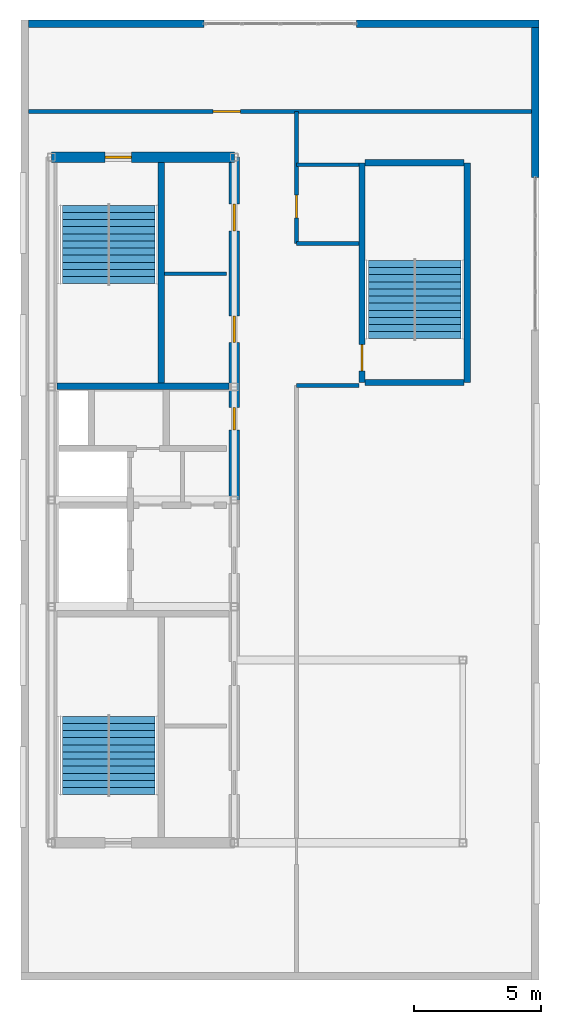
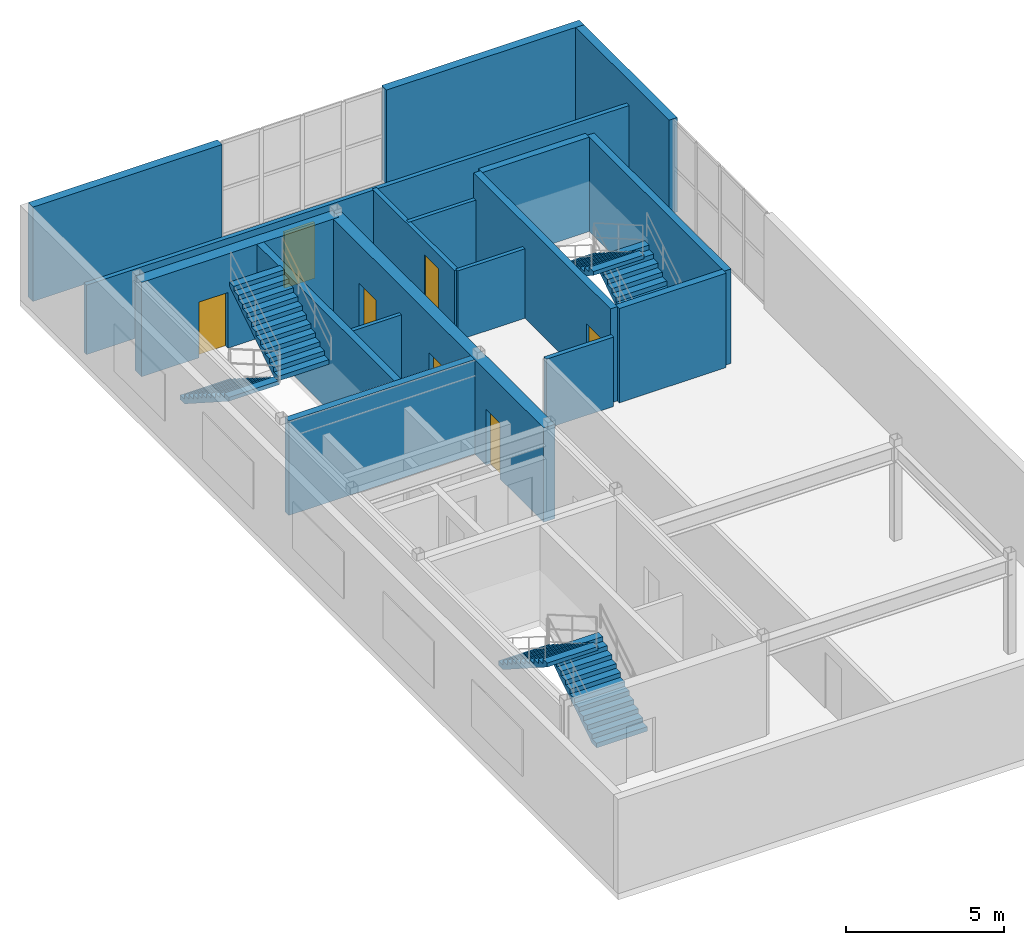
# One storey, part 5 of 6: 17 walls, 7 doors, 6 stair flights, 7 openings, 3 elements without a shape of their own.
"""IFC4 building model written with IfcOpenShell, lengths in metres."""

import ifcopenshell
import ifcopenshell.guid

model = None  # the IFC model being written
_history = None  # IfcOwnerHistory: only IFC2X3 demands one
_inside = {}  # id of a spatial element -> (the spatial element, [elements in it])
_under = {}  # id of a project, library or spatial element -> (it, [spatial elements below it])
_declared = {}  # id of a project -> (the project, [libraries it declares])
_typed = {}  # id of a type object -> (the type object, [elements of that type])
_made_of = {}  # id of a material, layer set ... -> (it, [elements and type objects made of it])


def new_model(schema):
    """Start an empty IFC model of exactly this schema.

    Asked for "IFC4X3", IfcOpenShell would pick the latest addendum, in which some entities
    have other attributes; the version numbers below select the first issue.
    IFC2X3 requires an IfcOwnerHistory on every rooted entity: one is made here for all.
    """
    global model, _history
    if schema == "IFC4X3":
        model = ifcopenshell.file(schema_version=(4, 3, 0, 0))
    else:
        model = ifcopenshell.file(schema=schema)
    _inside.clear()
    _under.clear()
    _declared.clear()
    _typed.clear()
    _made_of.clear()
    _history = None
    if model.schema == "IFC2X3":
        org = make("IfcOrganization", Name="unknown")
        user = make(
            "IfcPersonAndOrganization",
            ThePerson=make("IfcPerson", FamilyName="unknown"),
            TheOrganization=org,
        )
        app = make(
            "IfcApplication",
            ApplicationDeveloper=org,
            Version="unknown",
            ApplicationFullName="unknown",
            ApplicationIdentifier="unknown",
        )
        _history = make(
            "IfcOwnerHistory",
            OwningUser=user,
            OwningApplication=app,
            ChangeAction="ADDED",
            CreationDate=0,
        )
    return model


def make(cls, **values):
    """One entity of the class cls with the attributes given. An attribute that is None is left unset."""
    return model.create_entity(
        cls, **{name: value for name, value in values.items() if value is not None}
    )


def entity(cls, *values):
    """Any entity or typed value of the class cls, its attributes in the order of the schema. None: left unset."""
    e = model.create_entity(cls)
    for i, value in enumerate(values):
        if value is not None:
            e[i] = value
    return e


def rooted(cls, **values):
    """An entity with a GlobalId (a new one), such as an element, a storey or a relation."""
    return make(cls, GlobalId=ifcopenshell.guid.new(), OwnerHistory=_history, **values)


def si_unit(unit_type, name, prefix=None):
    """IfcSIUnit, for example si_unit("LENGTHUNIT", "METRE", prefix="MILLI")."""
    return make("IfcSIUnit", UnitType=unit_type, Prefix=prefix, Name=name)


def converted_unit(unit_type, name, factor, base, dimensions=None, offset=None):
    """IfcConversionBasedUnit, such as the inch: factor (a typed value) times the base unit."""
    return make(
        "IfcConversionBasedUnit"
        if offset is None
        else "IfcConversionBasedUnitWithOffset",
        ConversionOffset=offset,
        Dimensions=None
        if dimensions is None
        else entity("IfcDimensionalExponents", *dimensions),
        UnitType=unit_type,
        Name=name,
        ConversionFactor=make(
            "IfcMeasureWithUnit", ValueComponent=factor, UnitComponent=base
        ),
    )


def assignment(units):
    """IfcUnitAssignment: the units of a project."""
    return None if units is None else make("IfcUnitAssignment", Units=units)


def point(xyz):
    """IfcCartesianPoint."""
    return None if xyz is None else make("IfcCartesianPoint", Coordinates=xyz)


def direction(xyz):
    """IfcDirection."""
    return None if xyz is None else make("IfcDirection", DirectionRatios=xyz)


def frame(location, z_axis=None, x_axis=None):
    """IfcAxis2Placement3D, a coordinate frame: its origin and axes. An axis left out is left unset."""
    return make(
        "IfcAxis2Placement3D",
        Location=point(location),
        Axis=direction(z_axis),
        RefDirection=direction(x_axis),
    )


def frame_2d(location, x_axis=None):
    """IfcAxis2Placement2D, a coordinate frame in the plane: its origin and x axis."""
    return make(
        "IfcAxis2Placement2D", Location=point(location), RefDirection=direction(x_axis)
    )


def origin_with_axes():
    """The frame at (0, 0, 0) with the z axis (0, 0, 1) and the x axis (1, 0, 0) written out."""
    return frame((0.0, 0.0, 0.0), z_axis=(0.0, 0.0, 1.0), x_axis=(1.0, 0.0, 0.0))


def origin_2d_with_axis():
    """The frame at (0, 0) in the plane with the x axis (1, 0) written out."""
    return frame_2d((0.0, 0.0), x_axis=(1.0, 0.0))


def place(relative_to, where):
    """IfcLocalPlacement: puts the frame where relative to a parent placement (None: the world)."""
    return make(
        "IfcLocalPlacement", PlacementRelTo=relative_to, RelativePlacement=where
    )


def context(
    kind, dimensions, precision=None, world=None, true_north=None, identifier=None
):
    """IfcGeometricRepresentationContext, for example the 3D "Model" context."""
    return make(
        "IfcGeometricRepresentationContext",
        ContextIdentifier=identifier,
        ContextType=kind,
        CoordinateSpaceDimension=dimensions,
        Precision=precision,
        WorldCoordinateSystem=world,
        TrueNorth=true_north,
    )


def subcontext(parent, identifier, kind, view, scale=None):
    """IfcGeometricRepresentationSubContext, for example "Body" below "Model"."""
    return make(
        "IfcGeometricRepresentationSubContext",
        ContextIdentifier=identifier,
        ContextType=kind,
        ParentContext=parent,
        TargetScale=scale,
        TargetView=view,
    )


def project(units=None, contexts=None):
    """IfcProject with its units and contexts."""
    return rooted(
        "IfcProject",
        Name="project",
        RepresentationContexts=contexts,
        UnitsInContext=assignment(units),
    )


def spatial(cls, under=None, at=None, **own):
    """A site, building, storey or space (cls), placed at a placement, below another one or the project."""
    s = rooted(cls, ObjectPlacement=at, **own)
    if under is not None:
        _under.setdefault(under.id(), (under, []))[1].append(s)
    return s


def polyline(points):
    """IfcPolyline through the points."""
    return make("IfcPolyline", Points=[point(p) for p in points])


def profile(cls, at=None, kind="AREA", **sizes):
    """A parametric profile (cls). Its sizes go by their IFC names, for example OverallWidth=200.0."""
    return make(cls, ProfileType=kind, Position=at, **sizes)


def rectangle(**sizes):
    """IfcRectangleProfileDef."""
    return profile("IfcRectangleProfileDef", **sizes)


def outline(outer, holes=None, kind="AREA"):
    """IfcArbitraryClosedProfileDef: a profile drawn as a closed curve; with holes, ...WithVoids."""
    if holes is None:
        return make("IfcArbitraryClosedProfileDef", ProfileType=kind, OuterCurve=outer)
    return make(
        "IfcArbitraryProfileDefWithVoids",
        ProfileType=kind,
        OuterCurve=outer,
        InnerCurves=holes,
    )


def extrude(swept, where, along, depth):
    """IfcExtrudedAreaSolid: the profile swept, set in the frame where, extruded along a direction by depth."""
    return make(
        "IfcExtrudedAreaSolid",
        SweptArea=swept,
        Position=where,
        ExtrudedDirection=direction(along),
        Depth=depth,
    )


def shape(context_of_items, identifier, shape_type, items):
    """IfcShapeRepresentation: the items that make up one representation, for example the "Body"."""
    return make(
        "IfcShapeRepresentation",
        ContextOfItems=context_of_items,
        RepresentationIdentifier=identifier,
        RepresentationType=shape_type,
        Items=items,
    )


def material(Name=None, Category=None):
    """IfcMaterial."""
    return make("IfcMaterial", Name=Name, Category=Category)


def layer(
    of_material, thickness, ventilated=None, Name=None, Category=None, Priority=None
):
    """IfcMaterialLayer: one layer of a wall or slab, of a material (None: an air gap)."""
    return make(
        "IfcMaterialLayer",
        Material=of_material,
        LayerThickness=thickness,
        IsVentilated=ventilated,
        Name=Name,
        Category=Category,
        Priority=Priority,
    )


def layer_set(layers, Name=None):
    """IfcMaterialLayerSet."""
    return make("IfcMaterialLayerSet", MaterialLayers=layers, LayerSetName=Name)


def made_of(thing, what):
    """Note that an element or type object is made of a material, layer set ...; save() writes the relation."""
    if what is not None:
        _made_of.setdefault(what.id(), (what, []))[1].append(thing)
    return thing


def type_object(cls, material=None, **own):
    """A type object (cls), such as IfcWallType, which elements share."""
    return made_of(rooted(cls, **own), material)


def element(
    cls,
    number,
    at=None,
    inside=None,
    cuts=None,
    type_object=None,
    material=None,
    context=None,
    identifier="Body",
    shape_type=None,
    held_by="IfcProductDefinitionShape",
    body=None,
    shapes=None,
    **own,
):
    """One element of the class cls, such as IfcWall. Its Tag is "e" and its number.

    at: its placement. inside: the storey or other place that contains it. cuts: it is an
    opening in that element (IfcRelVoidsElement). A single representation is given by context,
    identifier, shape_type and body (its items); several are given by shapes. held_by: the class
    of the entity that holds the representations. save() writes the other relations.
    """
    e = rooted(cls, Tag="e%d" % number, ObjectPlacement=at, **own)
    if body is not None:
        shapes = [shape(context, identifier, shape_type, body)]
    if shapes is not None:
        e.Representation = make(held_by, Representations=shapes)
    if inside is not None:
        _inside.setdefault(inside.id(), (inside, []))[1].append(e)
    if cuts is not None:
        rooted(
            "IfcRelVoidsElement", RelatingBuildingElement=cuts, RelatedOpeningElement=e
        )
    if type_object is not None:
        _typed.setdefault(type_object.id(), (type_object, []))[1].append(e)
    return made_of(e, material)


def fill(opening, filler):
    """IfcRelFillsElement: the door or window that sits in an opening."""
    return rooted(
        "IfcRelFillsElement",
        RelatingOpeningElement=opening,
        RelatedBuildingElement=filler,
    )


def aggregate(whole, parts):
    """IfcRelAggregates: a whole, such as a stair, and the parts it consists of."""
    return rooted("IfcRelAggregates", RelatingObject=whole, RelatedObjects=parts)


def save(model, path):
    """Write the relations noted so far, then the file.

    IfcRelAggregates (storeys below a building ...), IfcRelContainedInSpatialStructure (elements
    in a storey), IfcRelDefinesByType, IfcRelAssociatesMaterial and IfcRelDeclares: one each for
    every whole, place, type object, material and project.
    """
    for whole, parts in _under.values():
        aggregate(whole, parts)
    for where, things in _inside.values():
        rooted(
            "IfcRelContainedInSpatialStructure",
            RelatedElements=things,
            RelatingStructure=where,
        )
    for kind, things in _typed.values():
        rooted("IfcRelDefinesByType", RelatedObjects=things, RelatingType=kind)
    for what, things in _made_of.values():
        rooted("IfcRelAssociatesMaterial", RelatedObjects=things, RelatingMaterial=what)
    for by, libraries in _declared.values():
        rooted("IfcRelDeclares", RelatingContext=by, RelatedDefinitions=libraries)
    model.write(path)


model = new_model("IFC4")

# Units and contexts
model_context = context("Model", 3, precision=1e-05, world=origin_with_axes(), true_north=direction((0.0, 1.0)))
body_context = subcontext(model_context, "Body", "Model", "MODEL_VIEW")
ifc_project = project(units=[si_unit("LENGTHUNIT", "METRE"), si_unit("AREAUNIT", "SQUARE_METRE"), si_unit("VOLUMEUNIT", "CUBIC_METRE"), converted_unit("PLANEANGLEUNIT", "DEGREE", entity("IfcPlaneAngleMeasure", 0.017453292519943295), si_unit("PLANEANGLEUNIT", "RADIAN"), dimensions=[0, 0, 0, 0, 0, 0, 0]), si_unit("MASSUNIT", "GRAM", prefix="KILO"), si_unit("THERMODYNAMICTEMPERATUREUNIT", "KELVIN")], contexts=[model_context])

# Site, building, storey
site_placement = place(None, origin_with_axes())
site = spatial("IfcSite", under=ifc_project, at=site_placement, CompositionType="ELEMENT")
building_placement = place(site_placement, origin_with_axes())
building = spatial("IfcBuilding", under=site, at=building_placement, Name="Varnlund Millrace Tower", CompositionType="ELEMENT")
storey_placement = place(building_placement, frame((0.0, 0.0, 324.3), z_axis=(0.0, 0.0, 1.0), x_axis=(1.0, 0.0, 0.0)))
storey = spatial("IfcBuildingStorey", under=building, at=storey_placement, Name="L80", CompositionType="ELEMENT", Elevation=324.3)

# Wall, opening, door
ifc_material_1 = material(Name="Concrete C60/75", Category="concrete")
ifc_layer_1 = layer(ifc_material_1, 0.42, Name="Concrete C60/75")
ifc_layer_set_1 = layer_set([ifc_layer_1], Name="Concrete C60/75")
wall_type_1 = type_object("IfcWallType", Name="Type-CoreWall-Shear-420-C60", PredefinedType="SHEAR", material=ifc_layer_set_1)
wall_1_placement = place(storey_placement, frame((11.4, 37.8, 0.0), z_axis=(0.0, 0.0, 1.0), x_axis=(1.0, 0.0, 0.0)))
wall_1 = element("IfcWall", 1, at=wall_1_placement, inside=storey, type_object=wall_type_1, Name="Type-CoreWall-Shear-420-C60", PredefinedType="SHEAR", context=body_context, shape_type="SweptSolid", body=[
    extrude(outline(polyline([(0.0, -0.21), (7.2, -0.21), (7.2, 0.21), (0.0, 0.21), (0.0, -0.21)])), origin_with_axes(), (0.0, 0.0, 1.0), 3.64),
])
opening_1_placement = place(wall_1_placement, frame((2.625, 0.0, 0.0), z_axis=(0.0, 0.0, 1.0), x_axis=(1.0, 0.0, 0.0)))
opening_1 = element("IfcOpeningElement", 2, at=opening_1_placement, cuts=wall_1, Name="Opening L80:DR-STA2", PredefinedType="OPENING", context=body_context, shape_type="SweptSolid", body=[
    extrude(rectangle(XDim=1.05, YDim=0.44, at=origin_2d_with_axis()), origin_with_axes(), (0.0, 0.0, 1.0), 2.15),
])
ifc_material_2 = material(Name="Fire-rated hollow steel door", Category="steel")
door_type_1 = type_object("IfcDoorType", Name="Type-FireDoor-Stair-1050X2150", OperationType="NOTDEFINED", PredefinedType="DOOR", material=ifc_material_2)
door_1_placement = place(wall_1_placement, frame((2.625, 0.0, 0.0), z_axis=(0.0, 0.0, 1.0), x_axis=(1.0, 0.0, 0.0)))
door_1 = element("IfcDoor", 3, at=door_1_placement, inside=storey, type_object=door_type_1, Name="Type-FireDoor-Stair-1050X2150", OperationType="SINGLE_SWING_RIGHT", OverallHeight=2.15, OverallWidth=1.05, PredefinedType="DOOR", context=body_context, shape_type="SweptSolid", body=[
    extrude(rectangle(XDim=1.05, YDim=0.09, at=origin_2d_with_axis()), origin_with_axes(), (0.0, 0.0, 1.0), 2.15),
])
fill(opening_1, door_1)

# Wall, openings, doors
wall_2_placement = place(storey_placement, frame((18.6, 24.3, 0.0), z_axis=(0.0, 0.0, 1.0), x_axis=(0.0, 1.0, 0.0)))
wall_2 = element("IfcWall", 4, at=wall_2_placement, inside=storey, type_object=wall_type_1, Name="Type-CoreWall-Shear-420-C60", PredefinedType="SHEAR", context=body_context, shape_type="SweptSolid", body=[
    extrude(outline(polyline([(0.0, -0.21), (13.5, -0.21), (13.5, 0.21), (0.0, 0.21), (0.0, -0.21)])), origin_with_axes(), (0.0, 0.0, 1.0), 3.64),
])
opening_2_placement = place(wall_2_placement, frame((3.2, 0.0, 0.0), z_axis=(0.0, 0.0, 1.0), x_axis=(1.0, 0.0, 0.0)))
opening_2 = element("IfcOpeningElement", 5, at=opening_2_placement, cuts=wall_2, Name="Opening L80:DR-ROB", PredefinedType="OPENING", context=body_context, shape_type="SweptSolid", body=[
    extrude(rectangle(XDim=0.9, YDim=0.44, at=origin_2d_with_axis()), origin_with_axes(), (0.0, 0.0, 1.0), 2.15),
])
opening_3_placement = place(wall_2_placement, frame((6.725, 0.0, 0.0), z_axis=(0.0, 0.0, 1.0), x_axis=(1.0, 0.0, 0.0)))
opening_3 = element("IfcOpeningElement", 6, at=opening_3_placement, cuts=wall_2, Name="Opening L80:DR-RECL-M1", PredefinedType="OPENING", context=body_context, shape_type="SweptSolid", body=[
    extrude(rectangle(XDim=1.05, YDim=0.44, at=origin_2d_with_axis()), origin_with_axes(), (0.0, 0.0, 1.0), 2.15),
])
opening_4_placement = place(wall_2_placement, frame((11.125, 0.0, 0.0), z_axis=(0.0, 0.0, 1.0), x_axis=(1.0, 0.0, 0.0)))
opening_4 = element("IfcOpeningElement", 7, at=opening_4_placement, cuts=wall_2, Name="Opening L80:DR-RECL-M2", PredefinedType="OPENING", context=body_context, shape_type="SweptSolid", body=[
    extrude(rectangle(XDim=1.05, YDim=0.44, at=origin_2d_with_axis()), origin_with_axes(), (0.0, 0.0, 1.0), 2.15),
])
ifc_material_3 = material(Name="Fire-rated hollow steel service closet door", Category="steel")
door_type_2 = type_object("IfcDoorType", Name="Type-FireDoor-Closet-900X2150", OperationType="NOTDEFINED", PredefinedType="DOOR", material=ifc_material_3)
door_2_placement = place(wall_2_placement, frame((3.2, 0.0, 0.0), z_axis=(0.0, 0.0, 1.0), x_axis=(1.0, 0.0, 0.0)))
door_2 = element("IfcDoor", 8, at=door_2_placement, inside=storey, type_object=door_type_2, Name="Type-FireDoor-Closet-900X2150", OperationType="SINGLE_SWING_RIGHT", OverallHeight=2.15, OverallWidth=0.9, PredefinedType="DOOR", context=body_context, shape_type="SweptSolid", body=[
    extrude(rectangle(XDim=0.9, YDim=0.09, at=origin_2d_with_axis()), origin_with_axes(), (0.0, 0.0, 1.0), 2.15),
])
fill(opening_2, door_2)
ifc_material_4 = material(Name="Smoke-barrier hollow steel fire door", Category="steel")
door_type_3 = type_object("IfcDoorType", Name="Type-FireDoor-Lobby-1050X2150", OperationType="NOTDEFINED", PredefinedType="DOOR", material=ifc_material_4)
door_3_placement = place(wall_2_placement, frame((6.725, 0.0, 0.0), z_axis=(0.0, 0.0, 1.0), x_axis=(1.0, 0.0, 0.0)))
door_3 = element("IfcDoor", 9, at=door_3_placement, inside=storey, type_object=door_type_3, Name="Type-FireDoor-Lobby-1050X2150", OperationType="SINGLE_SWING_LEFT", OverallHeight=2.15, OverallWidth=1.05, PredefinedType="DOOR", context=body_context, shape_type="SweptSolid", body=[
    extrude(rectangle(XDim=1.05, YDim=0.09, at=origin_2d_with_axis()), origin_with_axes(), (0.0, 0.0, 1.0), 2.15),
])
fill(opening_3, door_3)
door_4_placement = place(wall_2_placement, frame((11.125, 0.0, 0.0), z_axis=(0.0, 0.0, 1.0), x_axis=(1.0, 0.0, 0.0)))
door_4 = element("IfcDoor", 10, at=door_4_placement, inside=storey, type_object=door_type_3, Name="Type-FireDoor-Lobby-1050X2150", OperationType="SINGLE_SWING_RIGHT", OverallHeight=2.15, OverallWidth=1.05, PredefinedType="DOOR", context=body_context, shape_type="SweptSolid", body=[
    extrude(rectangle(XDim=1.05, YDim=0.09, at=origin_2d_with_axis()), origin_with_axes(), (0.0, 0.0, 1.0), 2.15),
])
fill(opening_4, door_4)

# Walls
ifc_material_5 = material(Name="Precast concrete C50/60", Category="concrete")
ifc_layer_2 = layer(ifc_material_5, 0.3, Name="Precast concrete C50/60")
ifc_layer_set_2 = layer_set([ifc_layer_2], Name="Precast concrete C50/60")
wall_type_2 = type_object("IfcWallType", Name="Type-ExtWall-Precast-Crown-300", PredefinedType="SOLIDWALL", material=ifc_layer_set_2)
wall_3_placement = place(storey_placement, frame((10.5, 43.05, 0.0), z_axis=(0.0, 0.0, 1.0), x_axis=(1.0, 0.0, 0.0)))
element("IfcWall", 11, at=wall_3_placement, inside=storey, type_object=wall_type_2, Name="Type-ExtWall-Precast-Crown-300", PredefinedType="SOLIDWALL", context=body_context, shape_type="SweptSolid", body=[
    extrude(outline(polyline([(0.0, -0.15), (6.9, -0.15), (6.9, 0.15), (0.0, 0.15), (0.0, -0.15)])), origin_with_axes(), (0.0, 0.0, 1.0), 3.64),
])
wall_4_placement = place(storey_placement, frame((23.4, 43.05, 0.0), z_axis=(0.0, 0.0, 1.0), x_axis=(1.0, 0.0, 0.0)))
element("IfcWall", 12, at=wall_4_placement, inside=storey, type_object=wall_type_2, Name="Type-ExtWall-Precast-Crown-300", PredefinedType="SOLIDWALL", context=body_context, shape_type="SweptSolid", body=[
    extrude(outline(polyline([(0.0, -0.15), (7.2, -0.15), (7.2, 0.15), (0.0, 0.15), (0.0, -0.15)])), origin_with_axes(), (0.0, 0.0, 1.0), 3.64),
])
wall_5_placement = place(storey_placement, frame((30.45, 42.9, 0.0), z_axis=(0.0, 0.0, 1.0), x_axis=(0.0, -1.0, 0.0)))
element("IfcWall", 13, at=wall_5_placement, inside=storey, type_object=wall_type_2, Name="Type-ExtWall-Precast-Crown-300", PredefinedType="SOLIDWALL", context=body_context, shape_type="SweptSolid", body=[
    extrude(outline(polyline([(0.0, -0.15), (5.9, -0.15), (5.9, 0.15), (0.0, 0.15), (0.0, -0.15)])), origin_with_axes(), (0.0, 0.0, 1.0), 3.64),
])

# Wall, opening, door
ifc_material_6 = material(Name="Fire-rated gypsum board on cold-formed steel framing", Category="steel")
ifc_layer_3 = layer(ifc_material_6, 0.16, Name="Fire-rated gypsum board on cold-formed steel framing")
ifc_layer_set_3 = layer_set([ifc_layer_3], Name="Fire-rated gypsum board on cold-formed steel framing")
wall_type_3 = type_object("IfcWallType", Name="Type-Partition-Corridor-160", PredefinedType="PARTITIONING", material=ifc_layer_set_3)
wall_6_placement = place(storey_placement, frame((21.05, 34.4, 0.0), z_axis=(0.0, 0.0, 1.0), x_axis=(0.0, 1.0, 0.0)))
wall_6 = element("IfcWall", 14, at=wall_6_placement, inside=storey, type_object=wall_type_3, Name="Type-Partition-Corridor-160", PredefinedType="PARTITIONING", context=body_context, shape_type="SweptSolid", body=[
    extrude(outline(polyline([(0.0, -0.08), (5.2, -0.08), (5.2, 0.08), (0.0, 0.08), (0.0, -0.08)])), origin_with_axes(), (0.0, 0.0, 1.0), 2.68),
])
opening_5_placement = place(wall_6_placement, frame((1.45, 0.0, 0.0), z_axis=(0.0, 0.0, 1.0), x_axis=(1.0, 0.0, 0.0)))
opening_5 = element("IfcOpeningElement", 15, at=opening_5_placement, cuts=wall_6, Name="Opening L80:DR-CRN-WC", PredefinedType="OPENING", context=body_context, shape_type="SweptSolid", body=[
    extrude(rectangle(XDim=0.9, YDim=0.18, at=origin_2d_with_axis()), origin_with_axes(), (0.0, 0.0, 1.0), 2.15),
])
ifc_material_7 = material(Name="Painted steel riser and closet door", Category="steel")
door_type_4 = type_object("IfcDoorType", Name="Type-IntDoor-Closet-900X2150", OperationType="NOTDEFINED", PredefinedType="DOOR", material=ifc_material_7)
door_5_placement = place(wall_6_placement, frame((1.45, 0.0, 0.0), z_axis=(0.0, 0.0, 1.0), x_axis=(1.0, 0.0, 0.0)))
door_5 = element("IfcDoor", 16, at=door_5_placement, inside=storey, type_object=door_type_4, Name="Type-IntDoor-Closet-900X2150", OperationType="SINGLE_SWING_LEFT", OverallHeight=2.15, OverallWidth=0.9, PredefinedType="DOOR", context=body_context, shape_type="SweptSolid", body=[
    extrude(rectangle(XDim=0.9, YDim=0.09, at=origin_2d_with_axis()), origin_with_axes(), (0.0, 0.0, 1.0), 2.15),
])
fill(opening_5, door_5)

# Wall
wall_7_placement = place(storey_placement, frame((21.05, 28.8, 0.0), z_axis=(0.0, 0.0, 1.0), x_axis=(1.0, 0.0, 0.0)))
element("IfcWall", 17, at=wall_7_placement, inside=storey, type_object=wall_type_3, Name="Type-Partition-Corridor-160", PredefinedType="PARTITIONING", context=body_context, shape_type="SweptSolid", body=[
    extrude(outline(polyline([(0.0, -0.08), (2.45, -0.08), (2.45, 0.08), (0.0, 0.08), (0.0, -0.08)])), origin_with_axes(), (0.0, 0.0, 1.0), 2.68),
])

# Wall, opening, door
wall_8_placement = place(storey_placement, frame((10.495, 39.6, 0.0), z_axis=(0.0, 0.0, 1.0), x_axis=(1.0, 0.0, 0.0)))
wall_8 = element("IfcWall", 18, at=wall_8_placement, inside=storey, type_object=wall_type_3, Name="Type-Partition-Corridor-160", PredefinedType="PARTITIONING", context=body_context, shape_type="SweptSolid", body=[
    extrude(outline(polyline([(0.0, -0.08), (19.81, -0.08), (19.81, 0.08), (0.0, 0.08), (0.0, -0.08)])), origin_with_axes(), (0.0, 0.0, 1.0), 2.68),
])
opening_6_placement = place(wall_8_placement, frame((7.805, 0.0, 0.0), z_axis=(0.0, 0.0, 1.0), x_axis=(1.0, 0.0, 0.0)))
opening_6 = element("IfcOpeningElement", 19, at=opening_6_placement, cuts=wall_8, Name="Opening L80:DR-CRN-SWG", PredefinedType="OPENING", context=body_context, shape_type="SweptSolid", body=[
    extrude(rectangle(XDim=1.1, YDim=0.18, at=origin_2d_with_axis()), origin_with_axes(), (0.0, 0.0, 1.0), 2.15),
])
ifc_material_8 = material(Name="Fire-rated mechanical room steel door", Category="steel")
door_type_5 = type_object("IfcDoorType", Name="Type-FireDoor-Plant-1100X2150", OperationType="NOTDEFINED", PredefinedType="DOOR", material=ifc_material_8)
door_6_placement = place(wall_8_placement, frame((7.805, 0.0, 0.0), z_axis=(0.0, 0.0, 1.0), x_axis=(1.0, 0.0, 0.0)))
door_6 = element("IfcDoor", 20, at=door_6_placement, inside=storey, type_object=door_type_5, Name="Type-FireDoor-Plant-1100X2150", OperationType="SINGLE_SWING_LEFT", OverallHeight=2.15, OverallWidth=1.1, PredefinedType="DOOR", context=body_context, shape_type="SweptSolid", body=[
    extrude(rectangle(XDim=1.1, YDim=0.09, at=origin_2d_with_axis()), origin_with_axes(), (0.0, 0.0, 1.0), 2.15),
])
fill(opening_6, door_6)

# Walls
ifc_material_9 = material(Name="Moisture-resistant gypsum restroom partition", Category="gypsum")
ifc_layer_4 = layer(ifc_material_9, 0.14, Name="Moisture-resistant gypsum restroom partition")
ifc_layer_set_4 = layer_set([ifc_layer_4], Name="Moisture-resistant gypsum restroom partition")
wall_type_4 = type_object("IfcWallType", Name="Type-Partition-Wet-140", PredefinedType="PARTITIONING", material=ifc_layer_set_4)
wall_9_placement = place(storey_placement, frame((15.84, 33.2, 0.0), z_axis=(0.0, 0.0, 1.0), x_axis=(1.0, 0.0, 0.0)))
element("IfcWall", 21, at=wall_9_placement, inside=storey, type_object=wall_type_4, Name="Type-Partition-Wet-140", PredefinedType="PARTITIONING", context=body_context, shape_type="SweptSolid", body=[
    extrude(outline(polyline([(0.0, -0.07), (2.46, -0.07), (2.46, 0.07), (0.0, 0.07), (0.0, -0.07)])), origin_with_axes(), (0.0, 0.0, 1.0), 2.68),
])
for number, where, z_axis, x_axis, name in (
    (22, (21.05, 34.4, 0.0), (0.0, 0.0, 1.0), (1.0, 0.0, 0.0), "Type-Partition-Wet-140"),
    (23, (21.05, 37.5, 0.0), (0.0, 0.0, 1.0), (1.0, 0.0, 0.0), "Type-Partition-Wet-140"),
):
    element("IfcWall", number, at=place(storey_placement, frame(where, z_axis=z_axis, x_axis=x_axis)), inside=storey, type_object=wall_type_4, Name=name, PredefinedType="PARTITIONING", context=body_context, shape_type="SweptSolid", body=[
        extrude(outline(polyline([(0.0, -0.07), (2.45, -0.07), (2.45, 0.07), (0.0, 0.07), (0.0, -0.07)])), origin_with_axes(), (0.0, 0.0, 1.0), 2.68),
    ])
ifc_layer_5 = layer(ifc_material_1, 0.25, Name="Concrete C60/75")
ifc_layer_set_5 = layer_set([ifc_layer_5], Name="Concrete C60/75")
wall_type_5 = type_object("IfcWallType", Name="Type-StairWall-Shear-250", PredefinedType="SHEAR", material=ifc_layer_set_5)
wall_10_placement = place(storey_placement, frame((15.725, 28.9, 0.0), z_axis=(0.0, 0.0, 1.0), x_axis=(0.0, 1.0, 0.0)))
element("IfcWall", 24, at=wall_10_placement, inside=storey, type_object=wall_type_5, Name="Type-StairWall-Shear-250", PredefinedType="SHEAR", context=body_context, shape_type="SweptSolid", body=[
    extrude(outline(polyline([(0.0, -0.125), (8.69, -0.125), (8.69, 0.125), (0.0, 0.125), (0.0, -0.125)])), origin_with_axes(), (0.0, 0.0, 1.0), 3.64),
])
wall_11_placement = place(storey_placement, frame((11.61, 28.775, 0.0), z_axis=(0.0, 0.0, 1.0), x_axis=(1.0, 0.0, 0.0)))
element("IfcWall", 25, at=wall_11_placement, inside=storey, type_object=wall_type_5, Name="Type-StairWall-Shear-250", PredefinedType="SHEAR", context=body_context, shape_type="SweptSolid", body=[
    extrude(outline(polyline([(0.0, -0.125), (6.78, -0.125), (6.78, 0.125), (0.0, 0.125), (0.0, -0.125)])), origin_with_axes(), (0.0, 0.0, 1.0), 3.64),
])

# Wall, opening, door
wall_12_placement = place(storey_placement, frame((23.625, 28.925, 0.0), z_axis=(0.0, 0.0, 1.0), x_axis=(0.0, 1.0, 0.0)))
wall_12 = element("IfcWall", 26, at=wall_12_placement, inside=storey, type_object=wall_type_5, Name="Type-StairWall-Shear-250", PredefinedType="SHEAR", context=body_context, shape_type="SweptSolid", body=[
    extrude(outline(polyline([(0.0, -0.125), (8.65, -0.125), (8.65, 0.125), (0.0, 0.125), (0.0, -0.125)])), origin_with_axes(), (0.0, 0.0, 1.0), 3.64),
])
opening_7_placement = place(wall_12_placement, frame((0.975, 0.0, 0.0), z_axis=(0.0, 0.0, 1.0), x_axis=(1.0, 0.0, 0.0)))
opening_7 = element("IfcOpeningElement", 27, at=opening_7_placement, cuts=wall_12, Name="Opening L80:DR-STA3", PredefinedType="OPENING", context=body_context, shape_type="SweptSolid", body=[
    extrude(rectangle(XDim=1.05, YDim=0.27, at=origin_2d_with_axis()), origin_with_axes(), (0.0, 0.0, 1.0), 2.15),
])
door_7_placement = place(wall_12_placement, frame((0.975, 0.0, 0.0), z_axis=(0.0, 0.0, 1.0), x_axis=(1.0, 0.0, 0.0)))
door_7 = element("IfcDoor", 28, at=door_7_placement, inside=storey, type_object=door_type_1, Name="Type-FireDoor-Stair-1050X2150", OperationType="SINGLE_SWING_LEFT", OverallHeight=2.15, OverallWidth=1.05, PredefinedType="DOOR", context=body_context, shape_type="SweptSolid", body=[
    extrude(rectangle(XDim=1.05, YDim=0.09, at=origin_2d_with_axis()), origin_with_axes(), (0.0, 0.0, 1.0), 2.15),
])
fill(opening_7, door_7)

# Walls
wall_13_placement = place(storey_placement, frame((27.775, 28.925, 0.0), z_axis=(0.0, 0.0, 1.0), x_axis=(0.0, 1.0, 0.0)))
element("IfcWall", 29, at=wall_13_placement, inside=storey, type_object=wall_type_5, Name="Type-StairWall-Shear-250", PredefinedType="SHEAR", context=body_context, shape_type="SweptSolid", body=[
    extrude(outline(polyline([(0.0, -0.125), (8.65, -0.125), (8.65, 0.125), (0.0, 0.125), (0.0, -0.125)])), origin_with_axes(), (0.0, 0.0, 1.0), 3.64),
])
for number, where, z_axis, x_axis, name in (
    (30, (23.75, 28.925, 0.0), (0.0, 0.0, 1.0), (1.0, 0.0, 0.0), "Type-StairWall-Shear-250"),
    (31, (23.75, 37.575, 0.0), (0.0, 0.0, 1.0), (1.0, 0.0, 0.0), "Type-StairWall-Shear-250"),
):
    element("IfcWall", number, at=place(storey_placement, frame(where, z_axis=z_axis, x_axis=x_axis)), inside=storey, type_object=wall_type_5, Name=name, PredefinedType="SHEAR", context=body_context, shape_type="SweptSolid", body=[
        extrude(outline(polyline([(0.0, -0.125), (3.9, -0.125), (3.9, 0.125), (0.0, 0.125), (0.0, -0.125)])), origin_with_axes(), (0.0, 0.0, 1.0), 3.64),
    ])

# Stair, stair flights
ifc_material_10 = material(Name="Concrete C50/60", Category="concrete")
stair_type = type_object("IfcStairType", Name="Type-Stair-Dogleg-185-390", PredefinedType="HALF_TURN_STAIR", material=ifc_material_10)
stair_1_placement = place(storey_placement, origin_with_axes())
stair_1 = element("IfcStair", 32, at=stair_1_placement, inside=storey, type_object=stair_type, Name="Type-Stair-Dogleg-185-390", PredefinedType="HALF_TURN_STAIR")
stair_flight_type = type_object("IfcStairFlightType", Name="Type-Dogleg-Run-185-390", PredefinedType="STRAIGHT", material=ifc_material_5)
stair_flight_1_placement = place(storey_placement, frame((13.625, 12.7, 0.0), z_axis=(1.0, 0.0, 0.0), x_axis=(0.0, 1.0, 0.0)))
stair_flight_1 = element("IfcStairFlight", 33, at=stair_flight_1_placement, type_object=stair_flight_type, Name="ST-A1 flight 1", NumberOfRisers=11, NumberOfTreads=11, PredefinedType="STRAIGHT", RiserHeight=0.177273, TreadLength=0.28, context=body_context, shape_type="SweptSolid", body=[
    extrude(outline(polyline([(0.0, 0.0), (0.0, 0.177273), (0.28, 0.177273), (0.28, 0.354545), (0.56, 0.354545), (0.56, 0.531818), (0.84, 0.531818), (0.84, 0.709091), (1.12, 0.709091), (1.12, 0.886364), (1.4, 0.886364), (1.4, 1.063636), (1.68, 1.063636), (1.68, 1.240909), (1.96, 1.240909), (1.96, 1.418182), (2.24, 1.418182), (2.24, 1.595454), (2.52, 1.595454), (2.52, 1.772727), (2.8, 1.772727), (2.8, 1.95), (3.08, 1.95), (3.08, 1.8), (0.28, 0.0), (0.0, 0.0)])), origin_with_axes(), (0.0, 0.0, 1.0), 1.85),
])
stair_flight_2_placement = place(storey_placement, frame((13.675, 15.78, 1.95), z_axis=(-1.0, 0.0, 0.0), x_axis=(0.0, -1.0, 0.0)))
stair_flight_2 = element("IfcStairFlight", 34, at=stair_flight_2_placement, type_object=stair_flight_type, Name="ST-A1 flight 2", NumberOfRisers=11, NumberOfTreads=11, PredefinedType="STRAIGHT", RiserHeight=0.177273, TreadLength=0.28, context=body_context, shape_type="SweptSolid", body=[
    extrude(outline(polyline([(0.0, 0.0), (0.0, 0.177273), (0.28, 0.177273), (0.28, 0.354545), (0.56, 0.354545), (0.56, 0.531818), (0.84, 0.531818), (0.84, 0.709091), (1.12, 0.709091), (1.12, 0.886364), (1.4, 0.886364), (1.4, 1.063636), (1.68, 1.063636), (1.68, 1.240909), (1.96, 1.240909), (1.96, 1.418182), (2.24, 1.418182), (2.24, 1.595454), (2.52, 1.595454), (2.52, 1.772727), (2.8, 1.772727), (2.8, 1.95), (3.08, 1.95), (3.08, 1.8), (0.28, 0.0), (0.0, 0.0)])), origin_with_axes(), (0.0, 0.0, 1.0), 1.85),
])
aggregate(stair_1, [stair_flight_1, stair_flight_2])

stair_2_placement = place(storey_placement, origin_with_axes())
stair_2 = element("IfcStair", 35, at=stair_2_placement, inside=storey, type_object=stair_type, Name="Type-Stair-Dogleg-185-390", PredefinedType="HALF_TURN_STAIR")
stair_flight_3_placement = place(storey_placement, frame((13.675, 35.9, 0.0), z_axis=(-1.0, 0.0, 0.0), x_axis=(0.0, -1.0, 0.0)))
stair_flight_3 = element("IfcStairFlight", 36, at=stair_flight_3_placement, type_object=stair_flight_type, Name="ST-A2 flight 1", NumberOfRisers=11, NumberOfTreads=11, PredefinedType="STRAIGHT", RiserHeight=0.177273, TreadLength=0.28, context=body_context, shape_type="SweptSolid", body=[
    extrude(outline(polyline([(0.0, 0.0), (0.0, 0.177273), (0.28, 0.177273), (0.28, 0.354545), (0.56, 0.354545), (0.56, 0.531818), (0.84, 0.531818), (0.84, 0.709091), (1.12, 0.709091), (1.12, 0.886364), (1.4, 0.886364), (1.4, 1.063636), (1.68, 1.063636), (1.68, 1.240909), (1.96, 1.240909), (1.96, 1.418182), (2.24, 1.418182), (2.24, 1.595454), (2.52, 1.595454), (2.52, 1.772727), (2.8, 1.772727), (2.8, 1.95), (3.08, 1.95), (3.08, 1.8), (0.28, 0.0), (0.0, 0.0)])), origin_with_axes(), (0.0, 0.0, 1.0), 1.85),
])
stair_flight_4_placement = place(storey_placement, frame((13.625, 32.82, 1.95), z_axis=(1.0, 0.0, 0.0), x_axis=(0.0, 1.0, 0.0)))
stair_flight_4 = element("IfcStairFlight", 37, at=stair_flight_4_placement, type_object=stair_flight_type, Name="ST-A2 flight 2", NumberOfRisers=11, NumberOfTreads=11, PredefinedType="STRAIGHT", RiserHeight=0.177273, TreadLength=0.28, context=body_context, shape_type="SweptSolid", body=[
    extrude(outline(polyline([(0.0, 0.0), (0.0, 0.177273), (0.28, 0.177273), (0.28, 0.354545), (0.56, 0.354545), (0.56, 0.531818), (0.84, 0.531818), (0.84, 0.709091), (1.12, 0.709091), (1.12, 0.886364), (1.4, 0.886364), (1.4, 1.063636), (1.68, 1.063636), (1.68, 1.240909), (1.96, 1.240909), (1.96, 1.418182), (2.24, 1.418182), (2.24, 1.595454), (2.52, 1.595454), (2.52, 1.772727), (2.8, 1.772727), (2.8, 1.95), (3.08, 1.95), (3.08, 1.8), (0.28, 0.0), (0.0, 0.0)])), origin_with_axes(), (0.0, 0.0, 1.0), 1.85),
])
aggregate(stair_2, [stair_flight_3, stair_flight_4])

stair_3_placement = place(storey_placement, origin_with_axes())
stair_3 = element("IfcStair", 38, at=stair_3_placement, inside=storey, type_object=stair_type, Name="Type-Stair-Dogleg-185-390", PredefinedType="HALF_TURN_STAIR")
stair_flight_5_placement = place(storey_placement, frame((25.675, 30.65, 0.0), z_axis=(1.0, 0.0, 0.0), x_axis=(0.0, 1.0, 0.0)))
stair_flight_5 = element("IfcStairFlight", 39, at=stair_flight_5_placement, type_object=stair_flight_type, Name="ST-A3 flight 1", NumberOfRisers=11, NumberOfTreads=11, PredefinedType="STRAIGHT", RiserHeight=0.177273, TreadLength=0.28, context=body_context, shape_type="SweptSolid", body=[
    extrude(outline(polyline([(0.0, 0.0), (0.0, 0.177273), (0.28, 0.177273), (0.28, 0.354545), (0.56, 0.354545), (0.56, 0.531818), (0.84, 0.531818), (0.84, 0.709091), (1.12, 0.709091), (1.12, 0.886364), (1.4, 0.886364), (1.4, 1.063636), (1.68, 1.063636), (1.68, 1.240909), (1.96, 1.240909), (1.96, 1.418182), (2.24, 1.418182), (2.24, 1.595454), (2.52, 1.595454), (2.52, 1.772727), (2.8, 1.772727), (2.8, 1.95), (3.08, 1.95), (3.08, 1.8), (0.28, 0.0), (0.0, 0.0)])), origin_with_axes(), (0.0, 0.0, 1.0), 1.85),
])
stair_flight_6_placement = place(storey_placement, frame((25.725, 33.73, 1.95), z_axis=(-1.0, 0.0, 0.0), x_axis=(0.0, -1.0, 0.0)))
stair_flight_6 = element("IfcStairFlight", 40, at=stair_flight_6_placement, type_object=stair_flight_type, Name="ST-A3 flight 2", NumberOfRisers=11, NumberOfTreads=11, PredefinedType="STRAIGHT", RiserHeight=0.177273, TreadLength=0.28, context=body_context, shape_type="SweptSolid", body=[
    extrude(outline(polyline([(0.0, 0.0), (0.0, 0.177273), (0.28, 0.177273), (0.28, 0.354545), (0.56, 0.354545), (0.56, 0.531818), (0.84, 0.531818), (0.84, 0.709091), (1.12, 0.709091), (1.12, 0.886364), (1.4, 0.886364), (1.4, 1.063636), (1.68, 1.063636), (1.68, 1.240909), (1.96, 1.240909), (1.96, 1.418182), (2.24, 1.418182), (2.24, 1.595454), (2.52, 1.595454), (2.52, 1.772727), (2.8, 1.772727), (2.8, 1.95), (3.08, 1.95), (3.08, 1.8), (0.28, 0.0), (0.0, 0.0)])), origin_with_axes(), (0.0, 0.0, 1.0), 1.85),
])
aggregate(stair_3, [stair_flight_5, stair_flight_6])

save(model, "model.ifc")
